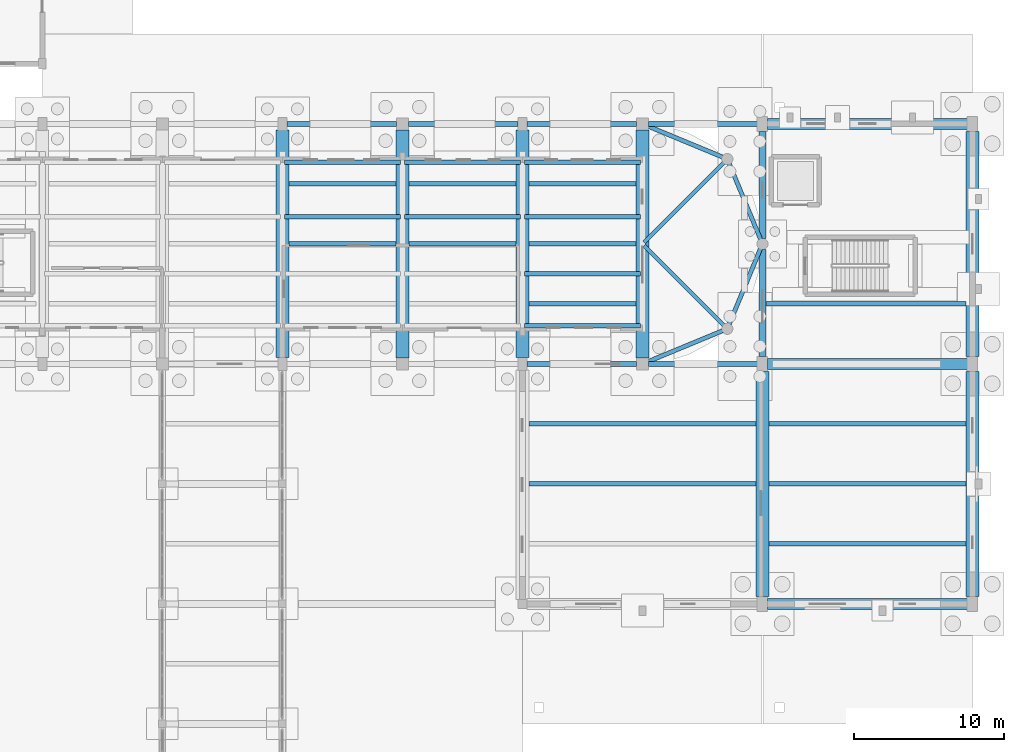
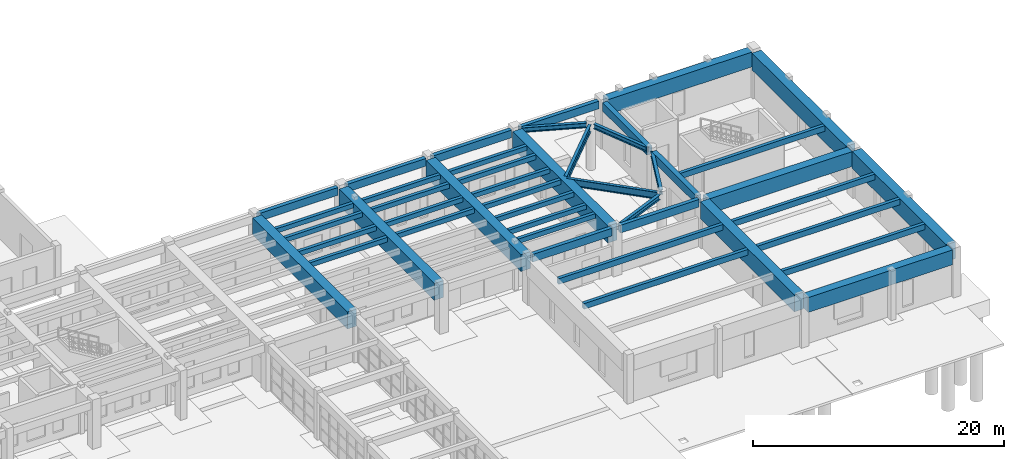
# One storey, part 34 of 68: 45 beams.
"""IFC4 building model written with IfcOpenShell, lengths in metres."""

from ifc_helpers import new_model, si_unit, direction, frame, origin, origin_2d, place, context, subcontext, project, spatial, rectangle, i_section, extrude, material, material_profile, profile_set, type_object, element, save


model = new_model("IFC4")

# Units and contexts
model_context = context("Model", 3, precision=1e-05, world=origin(), true_north=direction((0.0, 1.0)))
body_context = subcontext(model_context, "Body", "Model", "MODEL_VIEW")
ifc_project = project(units=[si_unit("LENGTHUNIT", "METRE"), si_unit("AREAUNIT", "SQUARE_METRE"), si_unit("VOLUMEUNIT", "CUBIC_METRE"), si_unit("PLANEANGLEUNIT", "RADIAN"), si_unit("MASSUNIT", "GRAM", prefix="KILO")], contexts=[model_context])

# Site, building, storey
site_placement = place(None, origin())
site = spatial("IfcSite", under=ifc_project, at=site_placement, CompositionType="ELEMENT")
building_placement = place(site_placement, origin())
building = spatial("IfcBuilding", under=site, at=building_placement, Name="Serraluz Foothill Cableway Terminal", CompositionType="ELEMENT")
storey_placement = place(building_placement, origin())
storey = spatial("IfcBuildingStorey", under=building, at=storey_placement, Name="L00", CompositionType="ELEMENT", Elevation=0.0)

# Beams
ifc_material_1 = material(Name="Concrete C35/45 (f'c 35 MPa)", Category="concrete")
ifc_material_profile_1 = material_profile(ifc_material_1, rectangle(XDim=0.449951171875, YDim=0.800048828125, at=origin_2d()), Name="RC 450x800")
ifc_profile_set_1 = profile_set([ifc_material_profile_1], Name="Concrete C35/45 (f'c 35 MPa)")
beam_type_1 = type_object("IfcBeamType", Name="TYP-BM-RC450X800", PredefinedType="BEAM", material=ifc_profile_set_1)
for number, where, z_axis, x_axis, name in (
    (1, (160.0, 56.49609375, 4.10009765625), (0.0, 1.0, 0.0), (-1.0, 0.0, 0.0), "Transverse Girder BM-Y-L00-0176"),
    (2, (160.0, 64.37109375, 4.10009765625), (0.0, 1.0, 0.0), (-1.0, 0.0, 0.0), "Transverse Girder BM-Y-L00-0177"),
):
    element("IfcBeam", number, at=place(storey_placement, frame(where, z_axis=z_axis, x_axis=x_axis)), inside=storey, type_object=beam_type_1, Name=name, PredefinedType="BEAM", context=body_context, shape_type="SweptSolid", body=[
        extrude(rectangle(XDim=0.449951171875, YDim=0.800048828125, at=origin_2d()), origin(), (0.0, 0.0, 1.0), 7.1328125),
    ])
ifc_material_profile_2 = material_profile(ifc_material_1, rectangle(XDim=0.75, YDim=1.449951171875, at=origin_2d()), Name="RC TG 750x1450")
ifc_profile_set_2 = profile_set([ifc_material_profile_2], Name="Concrete C35/45 (f'c 35 MPa)")
beam_type_2 = type_object("IfcBeamType", Name="TYP-BM-RCTG1450", PredefinedType="BEAM", material=ifc_profile_set_2)
for number, where, z_axis, x_axis, name in (
    (3, (160.345947265625, 40.0, 3.89501953125), (1.0, 0.0, 0.0), (0.0, 1.0, 0.0), "Primary Girder BM-X-L00-0054"),
    (4, (160.345947265625, 56.0, 3.77490234375), (1.0, 0.0, 0.0), (0.0, 1.0, 0.0), "Primary Girder BM-X-L00-0076"),
    (5, (160.345947265625, 72.0, 3.77490234375), (1.0, 0.0, 0.0), (0.0, 1.0, 0.0), "Primary Girder BM-X-L00-0096"),
):
    element("IfcBeam", number, at=place(storey_placement, frame(where, z_axis=z_axis, x_axis=x_axis)), inside=storey, type_object=beam_type_2, Name=name, PredefinedType="BEAM", context=body_context, shape_type="SweptSolid", body=[
        extrude(rectangle(XDim=0.75, YDim=1.449951171875, at=origin_2d()), origin(), (0.0, 0.0, 1.0), 13.30810546875),
    ])
ifc_material_profile_3 = material_profile(ifc_material_1, rectangle(XDim=0.85009765625, YDim=1.64990234375, at=origin_2d()), Name="RC TG 850x1650")
ifc_profile_set_3 = profile_set([ifc_material_profile_3], Name="Concrete C35/45 (f'c 35 MPa)")
beam_type_3 = type_object("IfcBeamType", Name="TYP-BM-RCTG1650", PredefinedType="BEAM", material=ifc_profile_set_3)
beam_1_placement = place(storey_placement, frame((128.0, 56.4208984375, 3.675048828125), z_axis=(0.0, 1.0, 0.0), x_axis=(-1.0, 0.0, 0.0)))
element("IfcBeam", 6, at=beam_1_placement, inside=storey, type_object=beam_type_3, Name="Transverse Girder BM-Y-L00-0169", PredefinedType="BEAM", context=body_context, shape_type="SweptSolid", body=[
    extrude(rectangle(XDim=0.85009765625, YDim=1.64990234375, at=origin_2d()), origin(), (0.0, 0.0, 1.0), 15.158203125),
])
beam_2_placement = place(storey_placement, frame((136.0, 56.39599609375, 3.675048828125), z_axis=(0.0, 1.0, 0.0), x_axis=(-1.0, 0.0, 0.0)))
element("IfcBeam", 7, at=beam_2_placement, inside=storey, type_object=beam_type_3, Name="Transverse Girder BM-Y-L00-0171", PredefinedType="BEAM", context=body_context, shape_type="SweptSolid", body=[
    extrude(rectangle(XDim=0.85009765625, YDim=1.64990234375, at=origin_2d()), origin(), (0.0, 0.0, 1.0), 15.2080078125),
])
beam_3_placement = place(storey_placement, frame((144.0, 56.4208984375, 3.675048828125), z_axis=(0.0, 1.0, 0.0), x_axis=(-1.0, 0.0, 0.0)))
element("IfcBeam", 8, at=beam_3_placement, inside=storey, type_object=beam_type_3, Name="Transverse Girder BM-Y-L00-0173", PredefinedType="BEAM", context=body_context, shape_type="SweptSolid", body=[
    extrude(rectangle(XDim=0.85009765625, YDim=1.64990234375, at=origin_2d()), origin(), (0.0, 0.0, 1.0), 15.158203125),
])
beam_4_placement = place(storey_placement, frame((152.0, 56.39599609375, 3.675048828125), z_axis=(0.0, 1.0, 0.0), x_axis=(-1.0, 0.0, 0.0)))
element("IfcBeam", 9, at=beam_4_placement, inside=storey, type_object=beam_type_3, Name="Transverse Girder BM-Y-L00-0174", PredefinedType="BEAM", context=body_context, shape_type="SweptSolid", body=[
    extrude(rectangle(XDim=0.85009765625, YDim=1.64990234375, at=origin_2d()), origin(), (0.0, 0.0, 1.0), 15.2080078125),
])
for number, where, z_axis, x_axis, name in (
    (10, (160.0, 40.49609375, 3.794921875), (0.0, 1.0, 0.0), (-1.0, 0.0, 0.0), "Transverse Girder BM-Y-L00-0175"),
    (11, (174.0, 40.49609375, 3.794921875), (0.0, 1.0, 0.0), (-1.0, 0.0, 0.0), "Transverse Girder BM-Y-L00-0178"),
    (12, (174.0, 56.49609375, 3.675048828125), (0.0, 1.0, 0.0), (-1.0, 0.0, 0.0), "Transverse Girder BM-Y-L00-0179"),
):
    element("IfcBeam", number, at=place(storey_placement, frame(where, z_axis=z_axis, x_axis=x_axis)), inside=storey, type_object=beam_type_3, Name=name, PredefinedType="BEAM", context=body_context, shape_type="SweptSolid", body=[
        extrude(rectangle(XDim=0.85009765625, YDim=1.64990234375, at=origin_2d()), origin(), (0.0, 0.0, 1.0), 15.0078125),
    ])
ifc_material_2 = material(Name="Steel ASTM A992 Grade 50", Category="steel")
ifc_material_profile_4 = material_profile(ifc_material_2, i_section(OverallWidth=0.256103515625, OverallDepth=0.693115234375, WebThickness=0.014404296875, FlangeThickness=0.023681640625, FilletRadius=0.02001953125, at=origin_2d()), Name="W27X114")
ifc_profile_set_4 = profile_set([ifc_material_profile_4], Name="Steel ASTM A992 Grade 50")
beam_type_4 = type_object("IfcBeamType", Name="TYP-BM-W27X114", PredefinedType="BEAM", material=ifc_profile_set_4)
for number, where, z_axis, x_axis, name in (
    (13, (152.113037109375, 63.886962890625, 4.153564453125), (0.707106781187, -0.707106781187, 0.0), (0.707106781187, 0.707106781187, 0.0), "Radial Station Deck Girder E-L00-1"),
    (14, (152.113037109375, 64.113037109375, 4.153564453125), (0.707106781187, 0.707106781187, 0.0), (-0.707106781187, 0.707106781187, 0.0), "Radial Station Deck Girder E-L00-2"),
):
    element("IfcBeam", number, at=place(storey_placement, frame(where, z_axis=z_axis, x_axis=x_axis)), inside=storey, type_object=beam_type_4, Name=name, PredefinedType="BEAM", context=body_context, shape_type="SweptSolid", body=[
        extrude(i_section(OverallWidth=0.256103515625, OverallDepth=0.693115234375, WebThickness=0.014404296875, FlangeThickness=0.023681640625, FilletRadius=0.02001953125, at=origin_2d()), origin(), (0.0, 0.0, 1.0), 7.500244140625),
    ])
ifc_material_3 = material(Name="Concrete C28/35 (f'c 28 MPa)", Category="concrete")
ifc_material_profile_5 = material_profile(ifc_material_3, rectangle(XDim=0.300048828125, YDim=0.449951171875, at=origin_2d()), Name="RC 300x450")
ifc_profile_set_5 = profile_set([ifc_material_profile_5], Name="Concrete C28/35 (f'c 28 MPa)")
beam_type_5 = type_object("IfcBeamType", Name="TYP-JS-RC300X450", PredefinedType="JOIST", material=ifc_profile_set_5)
for number, where, z_axis, x_axis, name in (
    (15, (128.429931640625, 64.0, 4.27490234375), (1.0, 0.0, 0.0), (0.0, 1.0, 0.0), "Secondary Floor Joist JS-L00-0061"),
    (16, (128.429931640625, 68.0, 4.27490234375), (1.0, 0.0, 0.0), (0.0, 1.0, 0.0), "Secondary Floor Joist JS-L00-0062"),
    (17, (136.429931640625, 64.0, 4.27490234375), (1.0, 0.0, 0.0), (0.0, 1.0, 0.0), "Secondary Floor Joist JS-L00-0064"),
    (18, (136.429931640625, 68.0, 4.27490234375), (1.0, 0.0, 0.0), (0.0, 1.0, 0.0), "Secondary Floor Joist JS-L00-0065"),
    (19, (144.429931640625, 60.0, 4.27490234375), (1.0, 0.0, 0.0), (0.0, 1.0, 0.0), "Secondary Floor Joist JS-L00-0069"),
    (20, (144.429931640625, 64.0, 4.27490234375), (1.0, 0.0, 0.0), (0.0, 1.0, 0.0), "Secondary Floor Joist JS-L00-0070"),
    (21, (144.429931640625, 68.0, 4.27490234375), (1.0, 0.0, 0.0), (0.0, 1.0, 0.0), "Secondary Floor Joist JS-L00-0071"),
):
    element("IfcBeam", number, at=place(storey_placement, frame(where, z_axis=z_axis, x_axis=x_axis)), inside=storey, type_object=beam_type_5, Name=name, PredefinedType="JOIST", context=body_context, shape_type="SweptSolid", body=[
        extrude(rectangle(XDim=0.300048828125, YDim=0.449951171875, at=origin_2d()), origin(), (0.0, 0.0, 1.0), 7.14013671875),
    ])
for number, where, z_axis, x_axis, name in (
    (22, (128.139892578125, 65.800048828125, 4.27490234375), (1.0, 0.0, 0.0), (0.0, 1.0, 0.0), "Composite Deck Joist L00-025"),
    (23, (128.139892578125, 69.449951171875, 4.27490234375), (1.0, 0.0, 0.0), (0.0, 1.0, 0.0), "Composite Deck Joist L00-026"),
    (24, (136.139892578125, 65.800048828125, 4.27490234375), (1.0, 0.0, 0.0), (0.0, 1.0, 0.0), "Composite Deck Joist L00-029"),
    (25, (136.139892578125, 69.449951171875, 4.27490234375), (1.0, 0.0, 0.0), (0.0, 1.0, 0.0), "Composite Deck Joist L00-030"),
    (26, (144.139892578125, 58.550048828125, 4.27490234375), (1.0, 0.0, 0.0), (0.0, 1.0, 0.0), "Composite Deck Joist L00-031"),
    (27, (144.139892578125, 62.0, 4.27490234375), (1.0, 0.0, 0.0), (0.0, 1.0, 0.0), "Composite Deck Joist L00-032"),
    (28, (144.139892578125, 65.800048828125, 4.27490234375), (1.0, 0.0, 0.0), (0.0, 1.0, 0.0), "Composite Deck Joist L00-033"),
    (29, (144.139892578125, 69.449951171875, 4.27490234375), (1.0, 0.0, 0.0), (0.0, 1.0, 0.0), "Composite Deck Joist L00-034"),
):
    element("IfcBeam", number, at=place(storey_placement, frame(where, z_axis=z_axis, x_axis=x_axis)), inside=storey, type_object=beam_type_5, Name=name, PredefinedType="JOIST", context=body_context, shape_type="SweptSolid", body=[
        extrude(rectangle(XDim=0.300048828125, YDim=0.449951171875, at=origin_2d()), origin(), (0.0, 0.0, 1.0), 7.72021484375),
    ])
ifc_material_profile_6 = material_profile(ifc_material_3, rectangle(XDim=0.300048828125, YDim=0.550048828125, at=origin_2d()), Name="RC 300x550")
ifc_profile_set_6 = profile_set([ifc_material_profile_6], Name="Concrete C28/35 (f'c 28 MPa)")
beam_type_6 = type_object("IfcBeamType", Name="TYP-JS-RC300X550", PredefinedType="JOIST", material=ifc_profile_set_6)
for number, where, z_axis, x_axis, name in (
    (30, (144.429931640625, 48.0, 4.344970703125), (1.0, 0.0, 0.0), (0.0, 1.0, 0.0), "Secondary Floor Joist JS-L00-0067"),
    (31, (144.429931640625, 52.0, 4.344970703125), (1.0, 0.0, 0.0), (0.0, 1.0, 0.0), "Secondary Floor Joist JS-L00-0068"),
):
    element("IfcBeam", number, at=place(storey_placement, frame(where, z_axis=z_axis, x_axis=x_axis)), inside=storey, type_object=beam_type_6, Name=name, PredefinedType="JOIST", context=body_context, shape_type="SweptSolid", body=[
        extrude(rectangle(XDim=0.300048828125, YDim=0.550048828125, at=origin_2d()), origin(), (0.0, 0.0, 1.0), 15.14013671875),
    ])
for number, where, z_axis, x_axis, name in (
    (32, (160.429931640625, 44.0, 4.344970703125), (1.0, 0.0, 0.0), (0.0, 1.0, 0.0), "Secondary Floor Joist JS-L00-0072"),
    (33, (160.429931640625, 48.0, 4.344970703125), (1.0, 0.0, 0.0), (0.0, 1.0, 0.0), "Secondary Floor Joist JS-L00-0073"),
    (34, (160.429931640625, 52.0, 4.344970703125), (1.0, 0.0, 0.0), (0.0, 1.0, 0.0), "Secondary Floor Joist JS-L00-0074"),
):
    element("IfcBeam", number, at=place(storey_placement, frame(where, z_axis=z_axis, x_axis=x_axis)), inside=storey, type_object=beam_type_6, Name=name, PredefinedType="JOIST", context=body_context, shape_type="SweptSolid", body=[
        extrude(rectangle(XDim=0.300048828125, YDim=0.550048828125, at=origin_2d()), origin(), (0.0, 0.0, 1.0), 13.14013671875),
    ])
beam_5_placement = place(storey_placement, frame((160.22998046875, 60.0, 4.22509765625), z_axis=(1.0, 0.0, 0.0), x_axis=(0.0, 1.0, 0.0)))
element("IfcBeam", 35, at=beam_5_placement, inside=storey, type_object=beam_type_6, Name="Secondary Floor Joist JS-L00-0075", PredefinedType="JOIST", context=body_context, shape_type="SweptSolid", body=[
    extrude(rectangle(XDim=0.300048828125, YDim=0.550048828125, at=origin_2d()), origin(), (0.0, 0.0, 1.0), 13.340087890625),
])
ifc_material_4 = material(Name="Precast concrete C40/50", Category="concrete")
ifc_material_profile_7 = material_profile(ifc_material_4, rectangle(XDim=0.35009765625, YDim=0.75, at=origin_2d()), Name="RC SP 350x750")
ifc_profile_set_7 = profile_set([ifc_material_profile_7], Name="Precast concrete C40/50")
beam_type_7 = type_object("IfcBeamType", Name="TYP-SP-RC350X750", PredefinedType="SPANDREL", material=ifc_profile_set_7)
beam_6_placement = place(storey_placement, frame((144.2958984375, 56.0, 4.2451171875), z_axis=(1.0, 0.0, 0.0), x_axis=(0.0, 1.0, 0.0)))
element("IfcBeam", 36, at=beam_6_placement, inside=storey, type_object=beam_type_7, Name="Primary Girder BM-X-L00-0074", PredefinedType="SPANDREL", context=body_context, shape_type="SweptSolid", body=[
    extrude(rectangle(XDim=0.35009765625, YDim=0.75, at=origin_2d()), origin(), (0.0, 0.0, 1.0), 7.30810546875),
])
beam_7_placement = place(storey_placement, frame((152.39599609375, 56.0, 4.2451171875), z_axis=(1.0, 0.0, 0.0), x_axis=(0.0, 1.0, 0.0)))
element("IfcBeam", 37, at=beam_7_placement, inside=storey, type_object=beam_type_7, Name="Primary Girder BM-X-L00-0075", PredefinedType="SPANDREL", context=body_context, shape_type="SweptSolid", body=[
    extrude(rectangle(XDim=0.35009765625, YDim=0.75, at=origin_2d()), origin(), (0.0, 0.0, 1.0), 7.258056640625),
])
for number, where, z_axis, x_axis, name in (
    (38, (128.2958984375, 72.0, 4.125), (1.0, 0.0, 0.0), (0.0, 1.0, 0.0), "Primary Girder BM-X-L00-0092"),
    (39, (136.39599609375, 72.0, 4.125), (1.0, 0.0, 0.0), (0.0, 1.0, 0.0), "Primary Girder BM-X-L00-0093"),
    (40, (144.2958984375, 72.0, 4.125), (1.0, 0.0, 0.0), (0.0, 1.0, 0.0), "Primary Girder BM-X-L00-0094"),
):
    element("IfcBeam", number, at=place(storey_placement, frame(where, z_axis=z_axis, x_axis=x_axis)), inside=storey, type_object=beam_type_7, Name=name, PredefinedType="SPANDREL", context=body_context, shape_type="SweptSolid", body=[
        extrude(rectangle(XDim=0.35009765625, YDim=0.75, at=origin_2d()), origin(), (0.0, 0.0, 1.0), 7.30810546875),
    ])
beam_8_placement = place(storey_placement, frame((152.39599609375, 72.0, 4.125), z_axis=(1.0, 0.0, 0.0), x_axis=(0.0, 1.0, 0.0)))
element("IfcBeam", 41, at=beam_8_placement, inside=storey, type_object=beam_type_7, Name="Primary Girder BM-X-L00-0095", PredefinedType="SPANDREL", context=body_context, shape_type="SweptSolid", body=[
    extrude(rectangle(XDim=0.35009765625, YDim=0.75, at=origin_2d()), origin(), (0.0, 0.0, 1.0), 7.258056640625),
])
ifc_material_profile_8 = material_profile(ifc_material_2, i_section(OverallWidth=0.282958984375, OverallDepth=0.471923828125, WebThickness=0.013671875, FlangeThickness=0.022216796875, FilletRadius=0.014892578125, at=origin_2d()), Name="W18X97")
ifc_profile_set_8 = profile_set([ifc_material_profile_8], Name="Steel ASTM A992 Grade 50")
beam_type_8 = type_object("IfcBeamType", Name="TYP-SP-W18X97", PredefinedType="SPANDREL", material=ifc_profile_set_8)
for number, where, z_axis, x_axis, name in (
    (42, (152.314208984375, 56.130126953125, 4.263916015625), (0.923888361565, 0.382662116449, 0.0), (-0.382662116449, 0.923888361565, 0.0), "Curved End Ring Beam E-L00-1"),
    (43, (157.787109375, 58.6572265625, 4.263916015625), (0.382662116449, 0.923888361565, 0.0), (-0.923888361565, 0.382662116449, 0.0), "Curved End Ring Beam E-L00-2"),
    (44, (159.869873046875, 64.314208984375, 4.263916015625), (-0.382662116449, 0.923888361565, 0.0), (-0.923888361565, -0.382662116449, 0.0), "Curved End Ring Beam E-L00-3"),
    (45, (157.3427734375, 69.787109375, 4.263916015625), (-0.923888361565, 0.382662116449, 0.0), (-0.382662116449, -0.923888361565, 0.0), "Curved End Ring Beam E-L00-4"),
):
    element("IfcBeam", number, at=place(storey_placement, frame(where, z_axis=z_axis, x_axis=x_axis)), inside=storey, type_object=beam_type_8, Name=name, PredefinedType="SPANDREL", context=body_context, shape_type="SweptSolid", body=[
        extrude(i_section(OverallWidth=0.282958984375, OverallDepth=0.471923828125, WebThickness=0.013671875, FlangeThickness=0.022216796875, FilletRadius=0.014892578125, at=origin_2d()), origin(), (0.0, 0.0, 1.0), 5.44287109375),
    ])

save(model, "model.ifc")
